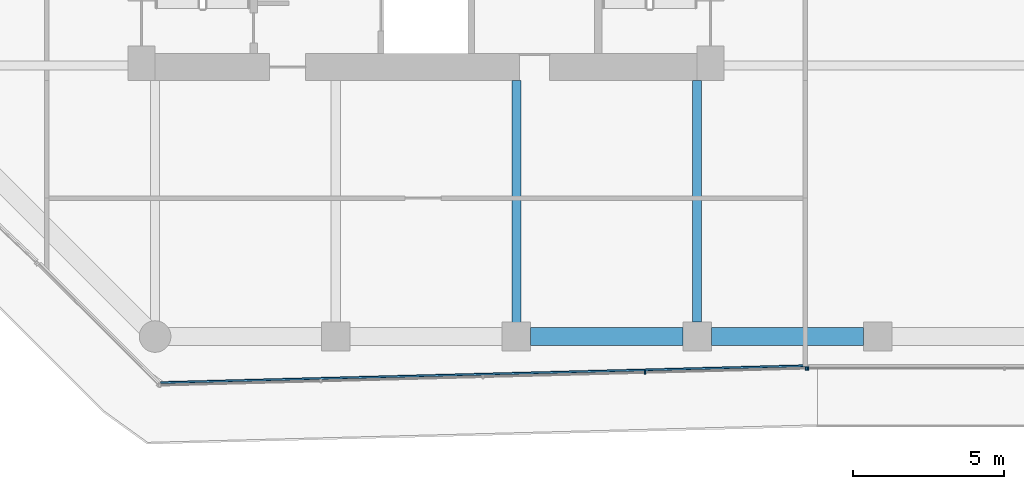
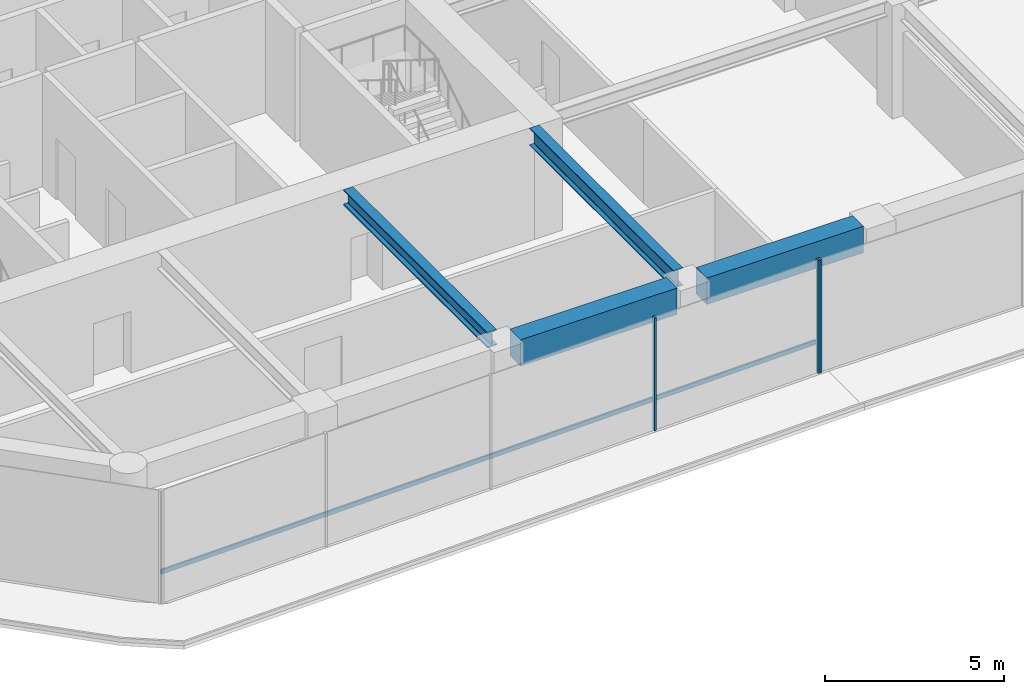
# One storey, part 3 of 29: 4 beams, 4 members, 2 elements without a shape of their own.
"""IFC4 building model written with IfcOpenShell, lengths in metres."""

from ifc_helpers import new_model, si_unit, direction, frame, origin, origin_2d, place, context, subcontext, project, spatial, rectangle, i_section, extrude, material, layer, layer_set, material_profile, profile_set, type_object, element, aggregate, save


model = new_model("IFC4")

# Units and contexts
model_context = context("Model", 3, precision=1e-05, world=origin(), true_north=direction((0.0, 1.0)))
body_context = subcontext(model_context, "Body", "Model", "MODEL_VIEW")
ifc_project = project(units=[si_unit("LENGTHUNIT", "METRE"), si_unit("AREAUNIT", "SQUARE_METRE"), si_unit("VOLUMEUNIT", "CUBIC_METRE"), si_unit("PLANEANGLEUNIT", "RADIAN"), si_unit("MASSUNIT", "GRAM", prefix="KILO")], contexts=[model_context])

# Site, building, storey
site_placement = place(None, origin())
site = spatial("IfcSite", under=ifc_project, at=site_placement, CompositionType="ELEMENT")
building_placement = place(site_placement, origin())
building = spatial("IfcBuilding", under=site, at=building_placement, Name="Welwitschia Terrace Campus", CompositionType="ELEMENT")
storey_placement = place(building_placement, frame((0.0, 0.0, 58.39990234375)))
storey = spatial("IfcBuildingStorey", under=building, at=storey_placement, Name="L13", CompositionType="ELEMENT", Elevation=58.39990234375)

# Beam
ifc_material_1 = material(Name="Steel S355", Category="steel")
ifc_material_profile_1 = material_profile(ifc_material_1, i_section(OverallWidth=0.305908203125, OverallDepth=0.52392578125, WebThickness=0.02099609375, FlangeThickness=0.0400390625, FilletRadius=0.027099609375, at=origin_2d()))
ifc_profile_set_1 = profile_set([ifc_material_profile_1], Name="Steel S355")
beam_type_1 = type_object("IfcBeamType", Name="Interior girder HE 500 M", PredefinedType="BEAM", material=ifc_profile_set_1)
beam_1_placement = place(storey_placement, frame((18.0, -3.534423828125, 3.588134765625), z_axis=(0.0, 1.0, 0.0), x_axis=(-1.0, 0.0, 0.0)))
element("IfcBeam", 1, at=beam_1_placement, inside=storey, type_object=beam_type_1, Name="Girder GB2", PredefinedType="BEAM", context=body_context, shape_type="SweptSolid", body=[
    extrude(i_section(OverallWidth=0.305908203125, OverallDepth=0.52392578125, WebThickness=0.02099609375, FlangeThickness=0.0400390625, FilletRadius=0.027099609375, at=origin_2d()), origin(), (0.0, 0.0, 1.0), 8.033447265625),
])

# Curtain wall, members
ifc_material_2 = material(Name="Bronze anodised aluminium", Category="aluminium")
ifc_layer = layer(ifc_material_2, 0.1201171875)
ifc_layer_set = layer_set([ifc_layer], Name="Bronze anodised aluminium")
curtain_wall_type = type_object("IfcCurtainWallType", Name="Curtain wall CW2 tower 6000", PredefinedType="NOTDEFINED", material=ifc_layer_set)
curtain_wall_1_placement = place(storey_placement, origin())
curtain_wall_1 = element("IfcCurtainWall", 2, at=curtain_wall_1_placement, inside=storey, type_object=curtain_wall_type, Name="CW L13.2.0", PredefinedType="NOTDEFINED")
ifc_material_3 = material(Name="Bronze anodised aluminium", Category="aluminium")
ifc_material_profile_2 = material_profile(ifc_material_3, rectangle(XDim=0.1201171875, YDim=0.06005859375, at=origin_2d()))
ifc_profile_set_2 = profile_set([ifc_material_profile_2], Name="Bronze anodised aluminium")
member_type_1 = type_object("IfcMemberType", Name="Mullion 60x120", PredefinedType="MULLION", material=ifc_profile_set_2)
member_1_placement = place(storey_placement, frame((22.270751953125, -5.198974609375, 0.0), z_axis=(0.0, 0.0, 1.0), x_axis=(-0.026176948308, 0.999657324976, 0.0)))
member_1 = element("IfcMember", 3, at=member_1_placement, type_object=member_type_1, Name="Mullion L13.2.0.3", PredefinedType="MULLION", context=body_context, shape_type="SweptSolid", body=[
    extrude(rectangle(XDim=0.1201171875, YDim=0.06005859375, at=origin_2d()), origin(), (0.0, 0.0, 1.0), 3.85009765625),
])
member_2_placement = place(storey_placement, frame((27.62255859375, -5.058837890625, 0.0), z_axis=(0.0, 0.0, 1.0), x_axis=(-0.026176948308, 0.999657324976, 0.0)))
member_2 = element("IfcMember", 4, at=member_2_placement, type_object=member_type_1, Name="Mullion L13.2.0.4", PredefinedType="MULLION", context=body_context, shape_type="SweptSolid", body=[
    extrude(rectangle(XDim=0.1201171875, YDim=0.06005859375, at=origin_2d()), origin(), (0.0, 0.0, 1.0), 3.85009765625),
])

# Curtain wall, member
curtain_wall_2_placement = place(storey_placement, origin())
curtain_wall_2 = element("IfcCurtainWall", 5, at=curtain_wall_2_placement, inside=storey, type_object=curtain_wall_type, Name="CW L13.3.0", PredefinedType="NOTDEFINED")
member_3_placement = place(storey_placement, frame((27.6826171875, -5.05810546875, 0.0), z_axis=(0.0, 0.0, 1.0), x_axis=(0.0, 1.0, 0.0)))
member_3 = element("IfcMember", 6, at=member_3_placement, type_object=member_type_1, Name="Mullion L13.3.0.0", PredefinedType="MULLION", context=body_context, shape_type="SweptSolid", body=[
    extrude(rectangle(XDim=0.1201171875, YDim=0.06005859375, at=origin_2d()), origin(), (0.0, 0.0, 1.0), 3.85009765625),
])
aggregate(curtain_wall_2, [member_3])

# Beams
ifc_material_4 = material(Name="Steel S355", Category="steel")
ifc_material_profile_3 = material_profile(ifc_material_4, i_section(OverallWidth=0.300048828125, OverallDepth=0.60009765625, WebThickness=0.015380859375, FlangeThickness=0.030029296875, FilletRadius=0.027099609375, at=origin_2d()))
ifc_profile_set_3 = profile_set([ifc_material_profile_3], Name="Steel S355")
beam_type_2 = type_object("IfcBeamType", Name="Primary beam HE 600 B", PredefinedType="BEAM", material=ifc_profile_set_3)
beam_2_placement = place(storey_placement, frame((24.0, -3.5244140625, 3.550048828125), z_axis=(0.0, 1.0, 0.0), x_axis=(-1.0, 0.0, 0.0)))
element("IfcBeam", 7, at=beam_2_placement, inside=storey, type_object=beam_type_2, Name="Primary beam PB2", PredefinedType="BEAM", context=body_context, shape_type="SweptSolid", body=[
    extrude(i_section(OverallWidth=0.300048828125, OverallDepth=0.60009765625, WebThickness=0.015380859375, FlangeThickness=0.030029296875, FilletRadius=0.027099609375, at=origin_2d()), origin(), (0.0, 0.0, 1.0), 8.0244140625),
])
ifc_material_5 = material(Name="Concrete C60/75", Category="concrete")
ifc_material_profile_4 = material_profile(ifc_material_5, rectangle(XDim=0.60009765625, YDim=0.89990234375, at=origin_2d()))
ifc_profile_set_4 = profile_set([ifc_material_profile_4], Name="Concrete C60/75")
beam_type_3 = type_object("IfcBeamType", Name="Ring spandrel 600x900", PredefinedType="SPANDREL", material=ifc_profile_set_4)
for number, where, z_axis, x_axis, name in (
    (8, (18.4755859375, -4.0, 3.400146484375), (1.0, 0.0, 0.0), (0.0, 1.0, 0.0), "Spandrel SP2"),
    (9, (24.4755859375, -4.0, 3.400146484375), (1.0, 0.0, 0.0), (0.0, 1.0, 0.0), "Spandrel SP2"),
):
    element("IfcBeam", number, at=place(storey_placement, frame(where, z_axis=z_axis, x_axis=x_axis)), inside=storey, type_object=beam_type_3, Name=name, PredefinedType="SPANDREL", context=body_context, shape_type="SweptSolid", body=[
        extrude(rectangle(XDim=0.60009765625, YDim=0.89990234375, at=origin_2d()), origin(), (0.0, 0.0, 1.0), 5.048828125),
    ])

# Member
ifc_material_6 = material(Name="Bronze anodised aluminium", Category="aluminium")
ifc_material_profile_5 = material_profile(ifc_material_6, rectangle(XDim=0.06005859375, YDim=0.14990234375, at=origin_2d()))
ifc_profile_set_5 = profile_set([ifc_material_profile_5], Name="Bronze anodised aluminium")
member_type_2 = type_object("IfcMemberType", Name="Transom 60x150", PredefinedType="USERDEFINED", material=ifc_profile_set_5)
member_4_placement = place(storey_placement, frame((6.18310546875, -5.5302734375, 1.0), z_axis=(0.999657052349, 0.026187357434, 0.0), x_axis=(-0.026187357434, 0.999657052349, 0.0)))
member_4 = element("IfcMember", 10, at=member_4_placement, type_object=member_type_2, Name="Transom L13.2.0", ObjectType="TRANSOM", PredefinedType="USERDEFINED", context=body_context, shape_type="SweptSolid", body=[
    extrude(rectangle(XDim=0.06005859375, YDim=0.14990234375, at=origin_2d()), origin(), (0.0, 0.0, 1.0), 21.41455078125),
])

aggregate(curtain_wall_1, [member_1, member_2, member_4])

save(model, "model.ifc")
